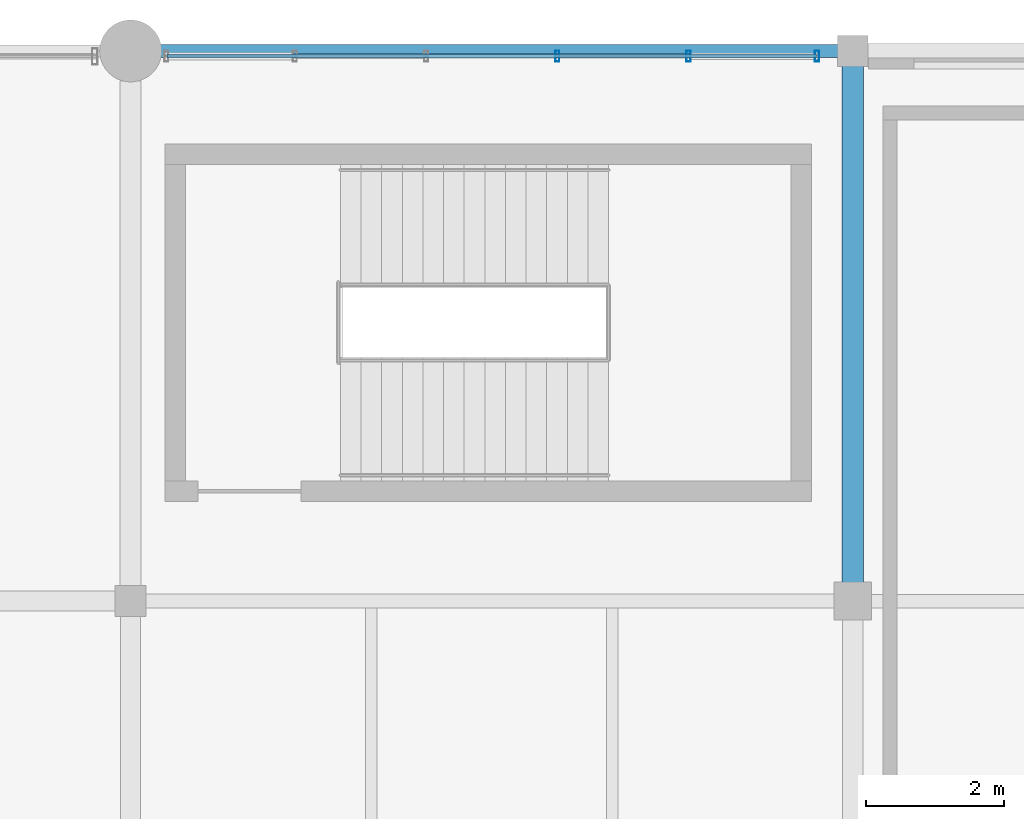
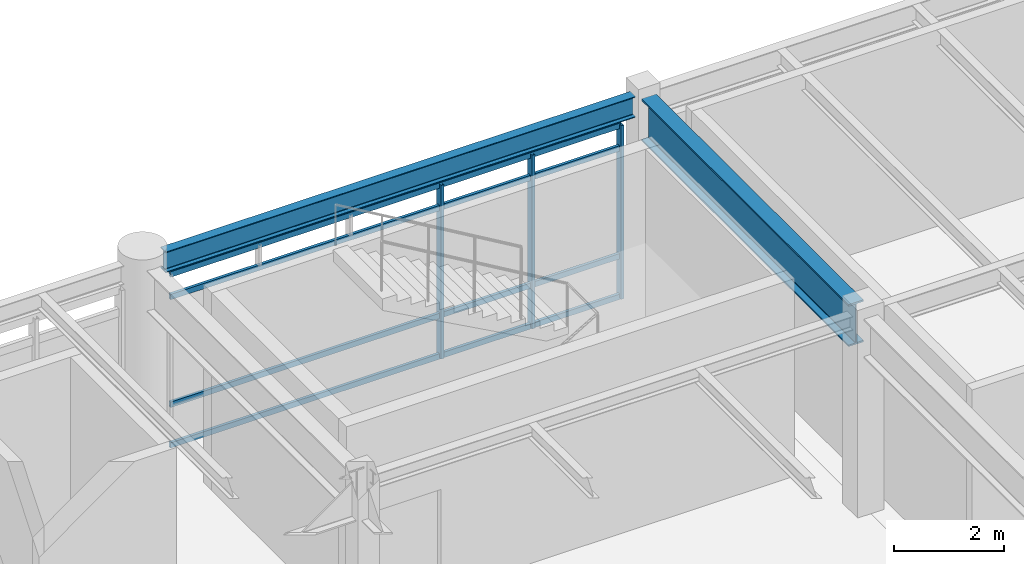
# One storey, part 119 of 168: 7 members, 2 beams, 1 element without a shape of its own.
"""IFC4 building model written with IfcOpenShell, lengths in metres."""

from ifc_helpers import new_model, si_unit, direction, frame, origin, origin_2d, place, context, subcontext, project, spatial, hollow_rectangle, i_section, extrude, material, material_profile, profile_set, type_object, element, aggregate, save


model = new_model("IFC4")

# Units and contexts
model_context = context("Model", 3, precision=1e-05, world=origin(), true_north=direction((0.0, 1.0)))
body_context = subcontext(model_context, "Body", "Model", "MODEL_VIEW")
ifc_project = project(units=[si_unit("LENGTHUNIT", "METRE"), si_unit("AREAUNIT", "SQUARE_METRE"), si_unit("VOLUMEUNIT", "CUBIC_METRE"), si_unit("PLANEANGLEUNIT", "RADIAN"), si_unit("MASSUNIT", "GRAM", prefix="KILO"), si_unit("THERMODYNAMICTEMPERATUREUNIT", "KELVIN"), si_unit("POWERUNIT", "WATT")], contexts=[model_context])

# Site, building, storey
site_placement = place(None, origin())
site = spatial("IfcSite", under=ifc_project, at=site_placement, CompositionType="ELEMENT")
building_placement = place(site_placement, origin())
building = spatial("IfcBuilding", under=site, at=building_placement, Name="Tepalcoro Natatorium and Aquatics Centre", CompositionType="ELEMENT")
storey_placement = place(building_placement, frame((0.0, 0.0, 10.199951171875)))
storey = spatial("IfcBuildingStorey", under=building, at=storey_placement, Name="L02", CompositionType="ELEMENT", Elevation=10.199951171875)

# Beam
ifc_material_1 = material(Name="Steel ASTM A992 Grade 50 (Fy 345 MPa)", Category="steel")
ifc_material_profile_1 = material_profile(ifc_material_1, i_section(OverallWidth=0.31005859375, OverallDepth=0.931884765625, WebThickness=0.02099609375, FlangeThickness=0.034912109375, FilletRadius=0.013916015625, at=origin_2d()), Name="W36X210")
ifc_profile_set_1 = profile_set([ifc_material_profile_1], Name="Steel ASTM A992 Grade 50 (Fy 345 MPa)")
beam_type_1 = type_object("IfcBeamType", Name="BM_W36x210", PredefinedType="BEAM", material=ifc_profile_set_1)
beam_1_placement = place(storey_placement, frame((142.0, 110.260009765625, 3.899169921875), z_axis=(0.0, 1.0, 0.0), x_axis=(-1.0, 0.0, 0.0)))
element("IfcBeam", 1, at=beam_1_placement, inside=storey, type_object=beam_type_1, Name="V5 L02 Grid Girder Y", PredefinedType="BEAM", context=body_context, shape_type="SweptSolid", body=[
    extrude(i_section(OverallWidth=0.31005859375, OverallDepth=0.931884765625, WebThickness=0.02099609375, FlangeThickness=0.034912109375, FilletRadius=0.013916015625, at=origin_2d()), origin(), (0.0, 0.0, 1.0), 7.530029296875),
])

# Curtain wall, members
ifc_material_2 = material(Name="Bronze-Anodised Extruded Aluminium Alloy EN AW-6063 T6", Category="aluminium")
curtain_wall_type = type_object("IfcCurtainWallType", Name="CW_V1_PLINTH", PredefinedType="USERDEFINED", material=ifc_material_2)
curtain_wall_placement = place(storey_placement, origin())
curtain_wall = element("IfcCurtainWall", 2, at=curtain_wall_placement, inside=storey, type_object=curtain_wall_type, Name="V5 L02 N Unitised Curtain Wall Bay 5", ObjectType="UNITISED STOREFRONT", PredefinedType="USERDEFINED")
ifc_material_profile_2 = material_profile(ifc_material_2, hollow_rectangle(XDim=0.06005859375, YDim=0.159912109375, WallThickness=0.00390625, at=origin_2d()), Name="AL60X160X4")
ifc_profile_set_2 = profile_set([ifc_material_profile_2], Name="Bronze-Anodised Extruded Aluminium Alloy EN AW-6063 T6")
member_type_1 = type_object("IfcMemberType", Name="CW_MUL_60x160", PredefinedType="MULLION", material=ifc_profile_set_2)
member_1_placement = place(storey_placement, frame((137.7041015625, 117.923828125, 0.02001953125), z_axis=(0.0, 0.0, 1.0), x_axis=(1.0, 0.0, 0.0)))
member_1 = element("IfcMember", 3, at=member_1_placement, type_object=member_type_1, Name="CW_V1_PLINTH Curtain Wall Mullion", PredefinedType="MULLION", context=body_context, shape_type="SweptSolid", body=[
    extrude(hollow_rectangle(XDim=0.06005859375, YDim=0.159912109375, WallThickness=0.00390625, at=origin_2d()), origin(), (0.0, 0.0, 1.0), 3.85009765625),
])
member_2_placement = place(storey_placement, frame((139.612060546875, 117.923828125, 0.02001953125), z_axis=(0.0, 0.0, 1.0), x_axis=(1.0, 0.0, 0.0)))
member_2 = element("IfcMember", 4, at=member_2_placement, type_object=member_type_1, Name="CW_V1_PLINTH Curtain Wall Mullion", PredefinedType="MULLION", context=body_context, shape_type="SweptSolid", body=[
    extrude(hollow_rectangle(XDim=0.06005859375, YDim=0.159912109375, WallThickness=0.00390625, at=origin_2d()), origin(), (0.0, 0.0, 1.0), 3.85009765625),
])
member_3_placement = place(storey_placement, frame((141.47998046875, 117.923828125, 0.02001953125), z_axis=(0.0, 0.0, 1.0), x_axis=(1.0, 0.0, 0.0)))
member_3 = element("IfcMember", 5, at=member_3_placement, type_object=member_type_1, Name="CW_V1_PLINTH Curtain Wall Mullion", PredefinedType="MULLION", context=body_context, shape_type="SweptSolid", body=[
    extrude(hollow_rectangle(XDim=0.06005859375, YDim=0.159912109375, WallThickness=0.00390625, at=origin_2d()), origin(), (0.0, 0.0, 1.0), 3.85009765625),
])
ifc_material_profile_3 = material_profile(ifc_material_2, hollow_rectangle(XDim=0.06005859375, YDim=0.1201171875, WallThickness=0.00390625, at=origin_2d()), Name="AL60X120X4")
ifc_profile_set_3 = profile_set([ifc_material_profile_3], Name="Bronze-Anodised Extruded Aluminium Alloy EN AW-6063 T6")
member_type_2 = type_object("IfcMemberType", Name="CW_TRN_60x120", PredefinedType="USERDEFINED", material=ifc_profile_set_3)
member_4_placement = place(storey_placement, frame((132.030029296875, 117.923828125, 0.050048828125), z_axis=(1.0, 0.0, 0.0), x_axis=(0.0, 1.0, 0.0)))
member_4 = element("IfcMember", 6, at=member_4_placement, type_object=member_type_2, Name="CW_V1_PLINTH Curtain Wall Transom", ObjectType="TRANSOM", PredefinedType="USERDEFINED", context=body_context, shape_type="SweptSolid", body=[
    extrude(hollow_rectangle(XDim=0.06005859375, YDim=0.1201171875, WallThickness=0.00390625, at=origin_2d()), origin(), (0.0, 0.0, 1.0), 9.43994140625),
])
member_5_placement = place(storey_placement, frame((132.030029296875, 117.923828125, 0.949951171875), z_axis=(1.0, 0.0, 0.0), x_axis=(0.0, 1.0, 0.0)))
member_5 = element("IfcMember", 7, at=member_5_placement, type_object=member_type_2, Name="CW_V1_PLINTH Curtain Wall Transom", ObjectType="TRANSOM", PredefinedType="USERDEFINED", context=body_context, shape_type="SweptSolid", body=[
    extrude(hollow_rectangle(XDim=0.06005859375, YDim=0.1201171875, WallThickness=0.00390625, at=origin_2d()), origin(), (0.0, 0.0, 1.0), 9.43994140625),
])
member_6_placement = place(storey_placement, frame((132.030029296875, 117.923828125, 3.340087890625), z_axis=(1.0, 0.0, 0.0), x_axis=(0.0, 1.0, 0.0)))
member_6 = element("IfcMember", 8, at=member_6_placement, type_object=member_type_2, Name="CW_V1_PLINTH Curtain Wall Transom", ObjectType="TRANSOM", PredefinedType="USERDEFINED", context=body_context, shape_type="SweptSolid", body=[
    extrude(hollow_rectangle(XDim=0.06005859375, YDim=0.1201171875, WallThickness=0.00390625, at=origin_2d()), origin(), (0.0, 0.0, 1.0), 9.43994140625),
])
member_7_placement = place(storey_placement, frame((132.030029296875, 117.923828125, 3.840087890625), z_axis=(1.0, 0.0, 0.0), x_axis=(0.0, 1.0, 0.0)))
member_7 = element("IfcMember", 9, at=member_7_placement, type_object=member_type_2, Name="CW_V1_PLINTH Curtain Wall Transom", ObjectType="TRANSOM", PredefinedType="USERDEFINED", context=body_context, shape_type="SweptSolid", body=[
    extrude(hollow_rectangle(XDim=0.06005859375, YDim=0.1201171875, WallThickness=0.00390625, at=origin_2d()), origin(), (0.0, 0.0, 1.0), 9.43994140625),
])
aggregate(curtain_wall, [member_1, member_2, member_3, member_4, member_5, member_6, member_7])

# Beam
ifc_material_profile_4 = material_profile(ifc_material_1, i_section(OverallWidth=0.19091796875, OverallDepth=0.4599609375, WebThickness=0.010009765625, FlangeThickness=0.01611328125, FilletRadius=0.013916015625, at=origin_2d()), Name="W18X55")
ifc_profile_set_4 = profile_set([ifc_material_profile_4], Name="Steel ASTM A992 Grade 50 (Fy 345 MPa)")
beam_type_2 = type_object("IfcBeamType", Name="SP_W18x55", PredefinedType="SPANDREL", material=ifc_profile_set_4)
beam_2_placement = place(storey_placement, frame((131.93505859375, 118.0, 4.135009765625), z_axis=(1.0, 0.0, 0.0), x_axis=(0.0, 1.0, 0.0)))
element("IfcBeam", 10, at=beam_2_placement, inside=storey, type_object=beam_type_2, Name="V5 L02 Grid Girder X", PredefinedType="SPANDREL", context=body_context, shape_type="SweptSolid", body=[
    extrude(i_section(OverallWidth=0.19091796875, OverallDepth=0.4599609375, WebThickness=0.010009765625, FlangeThickness=0.01611328125, FilletRadius=0.013916015625, at=origin_2d()), origin(), (0.0, 0.0, 1.0), 9.85498046875),
])

save(model, "model.ifc")
